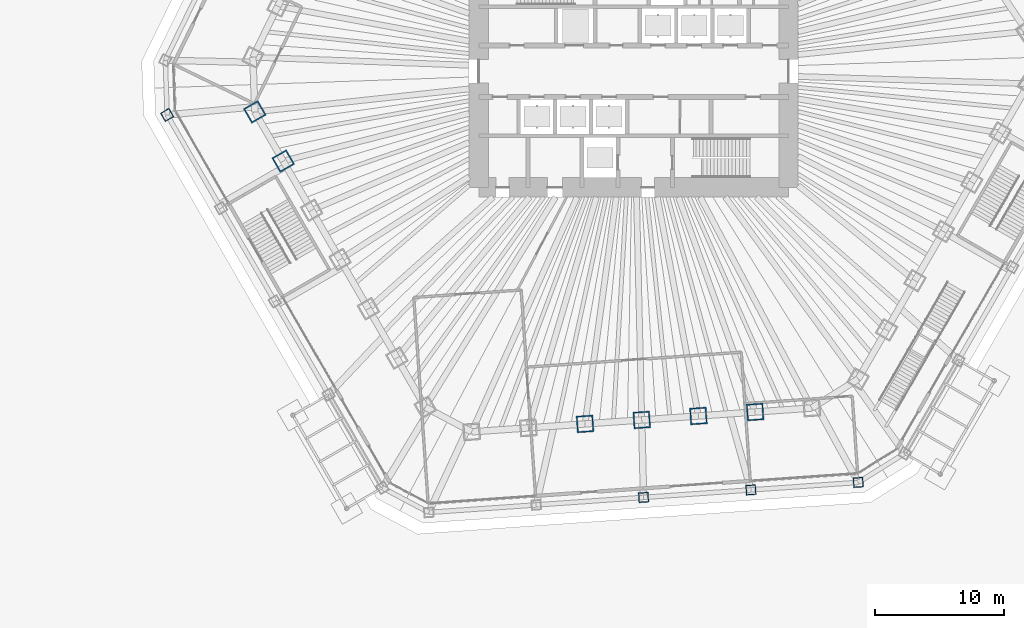
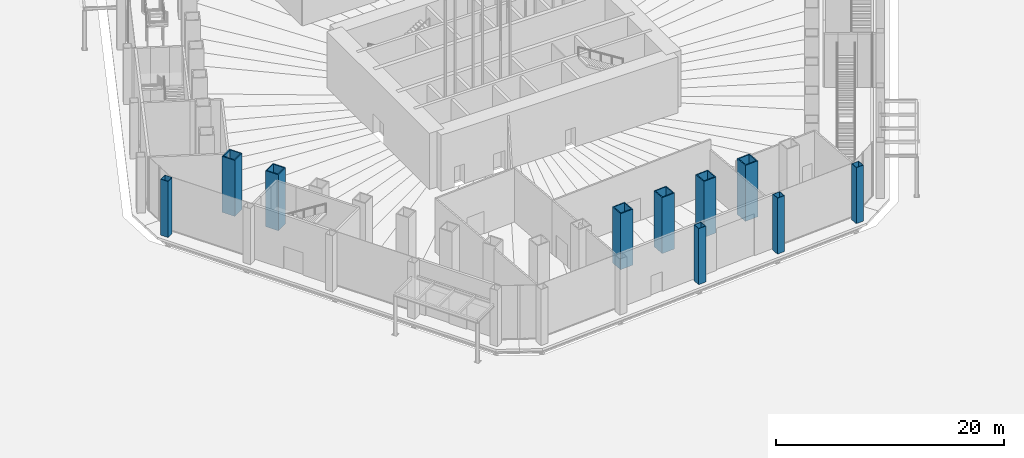
# One storey, part 3 of 45: 10 columns.
"""IFC4 building model written with IfcOpenShell, lengths in metres."""

from ifc_helpers import new_model, si_unit, direction, frame, origin, origin_2d, place, context, subcontext, project, spatial, hollow_rectangle, extrude, material, material_profile, profile_set, type_object, element, save


model = new_model("IFC4")

# Units and contexts
model_context = context("Model", 3, precision=1e-05, world=origin(), true_north=direction((0.0, 1.0)))
body_context = subcontext(model_context, "Body", "Model", "MODEL_VIEW")
ifc_project = project(units=[si_unit("LENGTHUNIT", "METRE"), si_unit("AREAUNIT", "SQUARE_METRE"), si_unit("VOLUMEUNIT", "CUBIC_METRE"), si_unit("PLANEANGLEUNIT", "RADIAN"), si_unit("MASSUNIT", "GRAM", prefix="KILO")], contexts=[model_context])

# Site, building, storey
site_placement = place(None, origin())
site = spatial("IfcSite", under=ifc_project, at=site_placement, CompositionType="ELEMENT")
building_placement = place(site_placement, origin())
building = spatial("IfcBuilding", under=site, at=building_placement, Name="Qingtian Harvest Tower", CompositionType="ELEMENT")
storey_placement = place(building_placement, origin())
storey = spatial("IfcBuildingStorey", under=building, at=storey_placement, Name="L00", CompositionType="ELEMENT", Elevation=0.0)

# Columns
ifc_material_1 = material(Name="Steel SM570MC", Category="steel")
ifc_material_profile_1 = material_profile(ifc_material_1, hollow_rectangle(XDim=0.75, YDim=0.75, WallThickness=0.035888671875, at=origin_2d()), Name="BOX750x750x36")
ifc_profile_set_1 = profile_set([ifc_material_profile_1], Name="Steel SM570MC")
column_type_1 = type_object("IfcColumnType", Name="Podium column PC1 BOX750x750x36", PredefinedType="COLUMN", material=ifc_profile_set_1)
for number, where, z_axis, x_axis, name in (
    (1, (17.411376953125, -31.863037109375, 0.0), (0.0, 0.0, 1.0), (0.99756405026, 0.069756473744, 0.0), "Podium column PC1 S0"),
    (2, (9.090087890625, -32.44482421875, 0.0), (0.0, 0.0, 1.0), (0.99756405026, 0.069756473744, 0.0), "Podium column PC1 S1"),
    (3, (0.7685546875, -33.02685546875, 0.0), (0.0, 0.0, 1.0), (0.99756405026, 0.069756473744, 0.0), "Podium column PC1 S2"),
    (4, (-36.152099609375, -3.3828125, 0.0), (0.0, 0.0, 1.0), (0.5, -0.866025403784, 0.0), "Podium column PC1 SW4"),
):
    element("IfcColumn", number, at=place(storey_placement, frame(where, z_axis=z_axis, x_axis=x_axis)), inside=storey, type_object=column_type_1, Name=name, PredefinedType="COLUMN", context=body_context, shape_type="SweptSolid", body=[
        extrude(hollow_rectangle(XDim=0.75, YDim=0.75, WallThickness=0.035888671875, at=origin_2d()), origin(), (0.0, 0.0, 1.0), 6.0),
    ])
ifc_material_2 = material(Name="Steel SM570MC", Category="steel")
ifc_material_profile_2 = material_profile(ifc_material_2, hollow_rectangle(XDim=1.300048828125, YDim=1.300048828125, WallThickness=0.10009765625, at=origin_2d()), Name="BOX1300x1300x100")
ifc_profile_set_2 = profile_set([ifc_material_profile_2], Name="Steel SM570MC")
column_type_2 = type_object("IfcColumnType", Name="Tube column TC1 BOX1300x1300x100", PredefinedType="COLUMN", material=ifc_profile_set_2)
for number, where, z_axis, x_axis, name in (
    (5, (9.41650390625, -26.407470703125, 0.0), (0.0, 0.0, 1.0), (0.99756405026, 0.069756473744, 0.0), "Tube column TC1 S1"),
    (6, (5.022705078125, -26.714599609375, 0.0), (0.0, 0.0, 1.0), (0.99756405026, 0.069756473744, 0.0), "Tube column TC1 S2"),
    (7, (0.62890625, -27.02197265625, 0.0), (0.0, 0.0, 1.0), (0.99756405026, 0.069756473744, 0.0), "Tube column TC1 S3"),
    (8, (-3.76513671875, -27.3291015625, 0.0), (0.0, 0.0, 1.0), (0.99756405026, 0.069756473744, 0.0), "Tube column TC1 S4"),
    (9, (-27.158447265625, -6.960205078125, 0.0), (0.0, 0.0, 1.0), (0.5, -0.866025403784, 0.0), "Tube column TC1 SW5"),
    (10, (-29.36083984375, -3.145751953125, 0.0), (0.0, 0.0, 1.0), (0.5, -0.866025403784, 0.0), "Tube column TC1 SW6"),
):
    element("IfcColumn", number, at=place(storey_placement, frame(where, z_axis=z_axis, x_axis=x_axis)), inside=storey, type_object=column_type_2, Name=name, PredefinedType="COLUMN", context=body_context, shape_type="SweptSolid", body=[
        extrude(hollow_rectangle(XDim=1.300048828125, YDim=1.300048828125, WallThickness=0.10009765625, at=origin_2d()), origin(), (0.0, 0.0, 1.0), 6.0),
    ])

save(model, "model.ifc")
